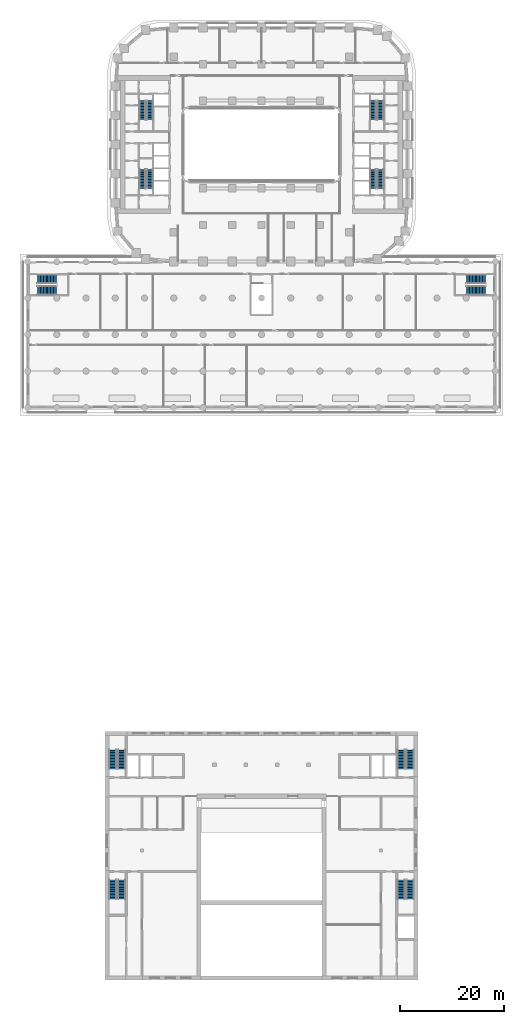
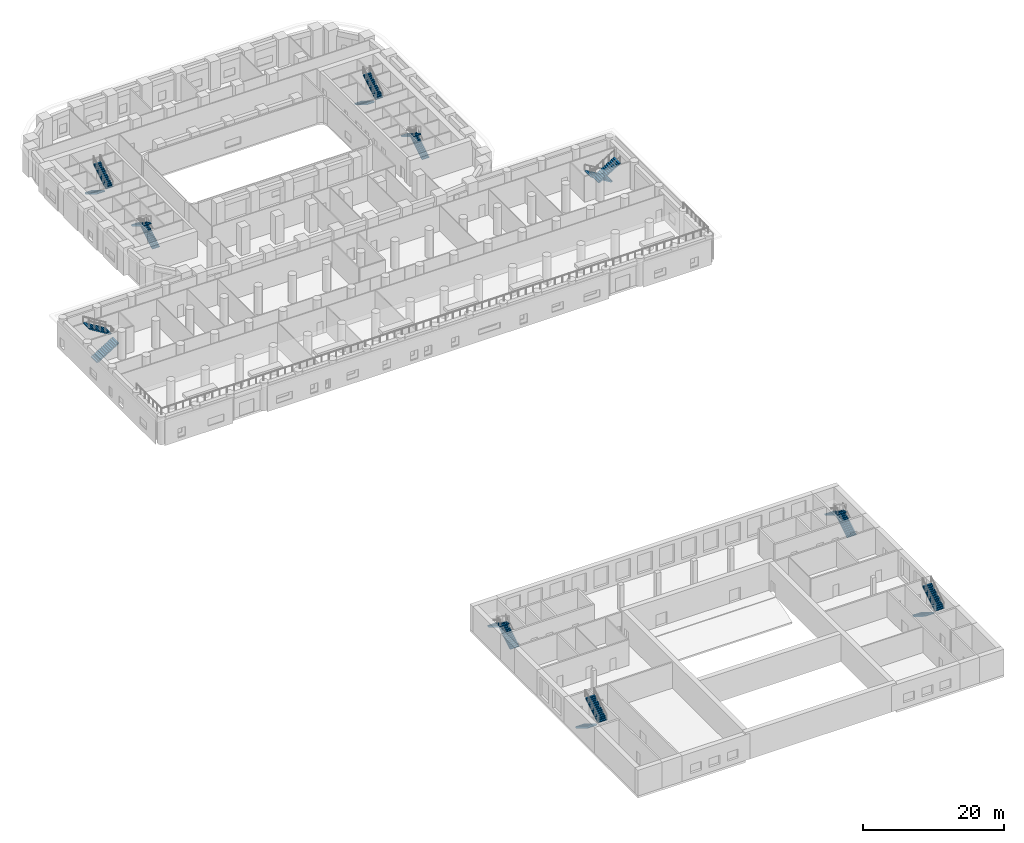
# One storey, part 15 of 24: 20 stair flights, 10 elements without a shape of their own.
"""IFC4 building model written with IfcOpenShell, lengths in metres."""

import ifcopenshell
import ifcopenshell.guid

model = None  # the IFC model being written
_history = None  # IfcOwnerHistory: only IFC2X3 demands one
_inside = {}  # id of a spatial element -> (the spatial element, [elements in it])
_under = {}  # id of a project, library or spatial element -> (it, [spatial elements below it])
_declared = {}  # id of a project -> (the project, [libraries it declares])
_typed = {}  # id of a type object -> (the type object, [elements of that type])
_made_of = {}  # id of a material, layer set ... -> (it, [elements and type objects made of it])


def new_model(schema):
    """Start an empty IFC model of exactly this schema.

    Asked for "IFC4X3", IfcOpenShell would pick the latest addendum, in which some entities
    have other attributes; the version numbers below select the first issue.
    IFC2X3 requires an IfcOwnerHistory on every rooted entity: one is made here for all.
    """
    global model, _history
    if schema == "IFC4X3":
        model = ifcopenshell.file(schema_version=(4, 3, 0, 0))
    else:
        model = ifcopenshell.file(schema=schema)
    _inside.clear()
    _under.clear()
    _declared.clear()
    _typed.clear()
    _made_of.clear()
    _history = None
    if model.schema == "IFC2X3":
        org = make("IfcOrganization", Name="unknown")
        user = make(
            "IfcPersonAndOrganization",
            ThePerson=make("IfcPerson", FamilyName="unknown"),
            TheOrganization=org,
        )
        app = make(
            "IfcApplication",
            ApplicationDeveloper=org,
            Version="unknown",
            ApplicationFullName="unknown",
            ApplicationIdentifier="unknown",
        )
        _history = make(
            "IfcOwnerHistory",
            OwningUser=user,
            OwningApplication=app,
            ChangeAction="ADDED",
            CreationDate=0,
        )
    return model


def make(cls, **values):
    """One entity of the class cls with the attributes given. An attribute that is None is left unset."""
    return model.create_entity(
        cls, **{name: value for name, value in values.items() if value is not None}
    )


def rooted(cls, **values):
    """An entity with a GlobalId (a new one), such as an element, a storey or a relation."""
    return make(cls, GlobalId=ifcopenshell.guid.new(), OwnerHistory=_history, **values)


def si_unit(unit_type, name, prefix=None):
    """IfcSIUnit, for example si_unit("LENGTHUNIT", "METRE", prefix="MILLI")."""
    return make("IfcSIUnit", UnitType=unit_type, Prefix=prefix, Name=name)


def assignment(units):
    """IfcUnitAssignment: the units of a project."""
    return None if units is None else make("IfcUnitAssignment", Units=units)


def point(xyz):
    """IfcCartesianPoint."""
    return None if xyz is None else make("IfcCartesianPoint", Coordinates=xyz)


def direction(xyz):
    """IfcDirection."""
    return None if xyz is None else make("IfcDirection", DirectionRatios=xyz)


def frame(location, z_axis=None, x_axis=None):
    """IfcAxis2Placement3D, a coordinate frame: its origin and axes. An axis left out is left unset."""
    return make(
        "IfcAxis2Placement3D",
        Location=point(location),
        Axis=direction(z_axis),
        RefDirection=direction(x_axis),
    )


def origin():
    """The frame at (0, 0, 0) with its axes left unset."""
    return frame((0.0, 0.0, 0.0))


def place(relative_to, where):
    """IfcLocalPlacement: puts the frame where relative to a parent placement (None: the world)."""
    return make(
        "IfcLocalPlacement", PlacementRelTo=relative_to, RelativePlacement=where
    )


def context(
    kind, dimensions, precision=None, world=None, true_north=None, identifier=None
):
    """IfcGeometricRepresentationContext, for example the 3D "Model" context."""
    return make(
        "IfcGeometricRepresentationContext",
        ContextIdentifier=identifier,
        ContextType=kind,
        CoordinateSpaceDimension=dimensions,
        Precision=precision,
        WorldCoordinateSystem=world,
        TrueNorth=true_north,
    )


def subcontext(parent, identifier, kind, view, scale=None):
    """IfcGeometricRepresentationSubContext, for example "Body" below "Model"."""
    return make(
        "IfcGeometricRepresentationSubContext",
        ContextIdentifier=identifier,
        ContextType=kind,
        ParentContext=parent,
        TargetScale=scale,
        TargetView=view,
    )


def project(units=None, contexts=None):
    """IfcProject with its units and contexts."""
    return rooted(
        "IfcProject",
        Name="project",
        RepresentationContexts=contexts,
        UnitsInContext=assignment(units),
    )


def spatial(cls, under=None, at=None, **own):
    """A site, building, storey or space (cls), placed at a placement, below another one or the project."""
    s = rooted(cls, ObjectPlacement=at, **own)
    if under is not None:
        _under.setdefault(under.id(), (under, []))[1].append(s)
    return s


def polyline(points):
    """IfcPolyline through the points."""
    return make("IfcPolyline", Points=[point(p) for p in points])


def outline(outer, holes=None, kind="AREA"):
    """IfcArbitraryClosedProfileDef: a profile drawn as a closed curve; with holes, ...WithVoids."""
    if holes is None:
        return make("IfcArbitraryClosedProfileDef", ProfileType=kind, OuterCurve=outer)
    return make(
        "IfcArbitraryProfileDefWithVoids",
        ProfileType=kind,
        OuterCurve=outer,
        InnerCurves=holes,
    )


def extrude(swept, where, along, depth):
    """IfcExtrudedAreaSolid: the profile swept, set in the frame where, extruded along a direction by depth."""
    return make(
        "IfcExtrudedAreaSolid",
        SweptArea=swept,
        Position=where,
        ExtrudedDirection=direction(along),
        Depth=depth,
    )


def shape(context_of_items, identifier, shape_type, items):
    """IfcShapeRepresentation: the items that make up one representation, for example the "Body"."""
    return make(
        "IfcShapeRepresentation",
        ContextOfItems=context_of_items,
        RepresentationIdentifier=identifier,
        RepresentationType=shape_type,
        Items=items,
    )


def material(Name=None, Category=None):
    """IfcMaterial."""
    return make("IfcMaterial", Name=Name, Category=Category)


def made_of(thing, what):
    """Note that an element or type object is made of a material, layer set ...; save() writes the relation."""
    if what is not None:
        _made_of.setdefault(what.id(), (what, []))[1].append(thing)
    return thing


def type_object(cls, material=None, **own):
    """A type object (cls), such as IfcWallType, which elements share."""
    return made_of(rooted(cls, **own), material)


def element(
    cls,
    number,
    at=None,
    inside=None,
    cuts=None,
    type_object=None,
    material=None,
    context=None,
    identifier="Body",
    shape_type=None,
    held_by="IfcProductDefinitionShape",
    body=None,
    shapes=None,
    **own,
):
    """One element of the class cls, such as IfcWall. Its Tag is "e" and its number.

    at: its placement. inside: the storey or other place that contains it. cuts: it is an
    opening in that element (IfcRelVoidsElement). A single representation is given by context,
    identifier, shape_type and body (its items); several are given by shapes. held_by: the class
    of the entity that holds the representations. save() writes the other relations.
    """
    e = rooted(cls, Tag="e%d" % number, ObjectPlacement=at, **own)
    if body is not None:
        shapes = [shape(context, identifier, shape_type, body)]
    if shapes is not None:
        e.Representation = make(held_by, Representations=shapes)
    if inside is not None:
        _inside.setdefault(inside.id(), (inside, []))[1].append(e)
    if cuts is not None:
        rooted(
            "IfcRelVoidsElement", RelatingBuildingElement=cuts, RelatedOpeningElement=e
        )
    if type_object is not None:
        _typed.setdefault(type_object.id(), (type_object, []))[1].append(e)
    return made_of(e, material)


def aggregate(whole, parts):
    """IfcRelAggregates: a whole, such as a stair, and the parts it consists of."""
    return rooted("IfcRelAggregates", RelatingObject=whole, RelatedObjects=parts)


def save(model, path):
    """Write the relations noted so far, then the file.

    IfcRelAggregates (storeys below a building ...), IfcRelContainedInSpatialStructure (elements
    in a storey), IfcRelDefinesByType, IfcRelAssociatesMaterial and IfcRelDeclares: one each for
    every whole, place, type object, material and project.
    """
    for whole, parts in _under.values():
        aggregate(whole, parts)
    for where, things in _inside.values():
        rooted(
            "IfcRelContainedInSpatialStructure",
            RelatedElements=things,
            RelatingStructure=where,
        )
    for kind, things in _typed.values():
        rooted("IfcRelDefinesByType", RelatedObjects=things, RelatingType=kind)
    for what, things in _made_of.values():
        rooted("IfcRelAssociatesMaterial", RelatedObjects=things, RelatingMaterial=what)
    for by, libraries in _declared.values():
        rooted("IfcRelDeclares", RelatingContext=by, RelatedDefinitions=libraries)
    model.write(path)


model = new_model("IFC4")

# Units and contexts
model_context = context("Model", 3, precision=1e-05, world=origin(), true_north=direction((0.0, 1.0)))
body_context = subcontext(model_context, "Body", "Model", "MODEL_VIEW")
ifc_project = project(units=[si_unit("LENGTHUNIT", "METRE"), si_unit("AREAUNIT", "SQUARE_METRE"), si_unit("VOLUMEUNIT", "CUBIC_METRE"), si_unit("PLANEANGLEUNIT", "RADIAN"), si_unit("MASSUNIT", "GRAM", prefix="KILO")], contexts=[model_context])

# Site, building, storey
site_placement = place(None, origin())
site = spatial("IfcSite", under=ifc_project, at=site_placement, CompositionType="ELEMENT")
building_placement = place(site_placement, origin())
building = spatial("IfcBuilding", under=site, at=building_placement, Name="Kiln Ring Residences", CompositionType="ELEMENT")
storey_placement = place(building_placement, frame((0.0, 0.0, 11.300048828125)))
storey = spatial("IfcBuildingStorey", under=building, at=storey_placement, Name="L02", CompositionType="ELEMENT", Elevation=11.300048828125)

# Stair, stair flights
ifc_material_1 = material(Name="Concrete C40/50", Category="concrete")
stair_type_1 = type_object("IfcStairType", Name="CORE-STAIR", PredefinedType="HALF_TURN_STAIR", material=ifc_material_1)
placement = place(storey_placement, origin())
stair_1 = element("IfcStair", 1, at=placement, inside=storey, type_object=stair_type_1, Name="L02 stair W-STN", PredefinedType="HALF_TURN_STAIR")
ifc_material_2 = material(Name="Concrete C40/50", Category="concrete")
stair_flight_type_1 = type_object("IfcStairFlightType", Name="CORE-STAIR-FLIGHT", PredefinedType="STRAIGHT", material=ifc_material_2)
stair_flight_1_placement = place(storey_placement, frame((-22.800048828125, 8.39990234375, 0.0), z_axis=(0.0, 0.0, 1.0), x_axis=(0.0, -1.0, 0.0)))
stair_flight_1 = element("IfcStairFlight", 2, at=stair_flight_1_placement, type_object=stair_flight_type_1, Name="W-STN flight 1", NumberOfRisers=14, NumberOfTreads=13, PredefinedType="STRAIGHT", RiserHeight=0.171428571, TreadLength=0.28, context=body_context, shape_type="SweptSolid", body=[
    extrude(outline(polyline([(0.0, 0.0), (0.0, 0.17138671875), (0.280029296875, 0.17138671875), (0.280029296875, 0.3427734375), (0.56005859375, 0.3427734375), (0.56005859375, 0.514404296875), (0.840087890625, 0.514404296875), (0.840087890625, 0.685791015625), (1.1201171875, 0.685791015625), (1.1201171875, 0.857177734375), (1.39990234375, 0.857177734375), (1.39990234375, 1.028564453125), (1.679931640625, 1.028564453125), (1.679931640625, 1.199951171875), (1.9599609375, 1.199951171875), (1.9599609375, 1.371337890625), (2.239990234375, 1.371337890625), (2.239990234375, 1.54296875), (2.52001953125, 1.54296875), (2.52001953125, 1.71435546875), (2.800048828125, 1.71435546875), (2.800048828125, 1.8857421875), (3.080078125, 1.8857421875), (3.080078125, 2.05712890625), (3.360107421875, 2.05712890625), (3.360107421875, 2.228515625), (3.639892578125, 2.228515625), (3.639892578125, 2.39990234375), (3.639892578125, 2.052734375), (0.287109375, 0.0), (0.0, 0.0)])), frame((0.0, 0.60009765625, 0.0), z_axis=(0.0, -1.0, 0.0), x_axis=(1.0, 0.0, 0.0)), (0.0, 0.0, 1.0), 1.199951171875),
])
stair_flight_2_placement = place(storey_placement, frame((-21.39990234375, 4.760009765625, 2.39990234375), z_axis=(0.0, 0.0, 1.0), x_axis=(0.0, 1.0, 0.0)))
stair_flight_2 = element("IfcStairFlight", 3, at=stair_flight_2_placement, type_object=stair_flight_type_1, Name="W-STN flight 2", NumberOfRisers=14, NumberOfTreads=13, PredefinedType="STRAIGHT", RiserHeight=0.171428571, TreadLength=0.28, context=body_context, shape_type="SweptSolid", body=[
    extrude(outline(polyline([(0.0, 0.0), (0.0, 0.17138671875), (0.280029296875, 0.17138671875), (0.280029296875, 0.3427734375), (0.56005859375, 0.3427734375), (0.56005859375, 0.514404296875), (0.840087890625, 0.514404296875), (0.840087890625, 0.685791015625), (1.1201171875, 0.685791015625), (1.1201171875, 0.857177734375), (1.39990234375, 0.857177734375), (1.39990234375, 1.028564453125), (1.679931640625, 1.028564453125), (1.679931640625, 1.199951171875), (1.9599609375, 1.199951171875), (1.9599609375, 1.371337890625), (2.239990234375, 1.371337890625), (2.239990234375, 1.54296875), (2.52001953125, 1.54296875), (2.52001953125, 1.71435546875), (2.800048828125, 1.71435546875), (2.800048828125, 1.8857421875), (3.080078125, 1.8857421875), (3.080078125, 2.05712890625), (3.360107421875, 2.05712890625), (3.360107421875, 2.228515625), (3.639892578125, 2.228515625), (3.639892578125, 2.39990234375), (3.639892578125, 2.052734375), (0.287109375, 0.0), (0.0, 0.0)])), frame((0.0, 0.60009765625, 0.0), z_axis=(0.0, -1.0, 0.0), x_axis=(1.0, 0.0, 0.0)), (0.0, 0.0, 1.0), 1.199951171875),
])
aggregate(stair_1, [stair_flight_1, stair_flight_2])

stair_2 = element("IfcStair", 4, at=placement, inside=storey, type_object=stair_type_1, Name="L02 stair W-STS", PredefinedType="HALF_TURN_STAIR")
stair_flight_3_placement = place(storey_placement, frame((-21.39990234375, -8.39990234375, 0.0), z_axis=(0.0, 0.0, 1.0), x_axis=(0.0, 1.0, 0.0)))
stair_flight_3 = element("IfcStairFlight", 5, at=stair_flight_3_placement, type_object=stair_flight_type_1, Name="W-STS flight 1", NumberOfRisers=14, NumberOfTreads=13, PredefinedType="STRAIGHT", RiserHeight=0.171428571, TreadLength=0.28, context=body_context, shape_type="SweptSolid", body=[
    extrude(outline(polyline([(0.0, 0.0), (0.0, 0.17138671875), (0.280029296875, 0.17138671875), (0.280029296875, 0.3427734375), (0.56005859375, 0.3427734375), (0.56005859375, 0.514404296875), (0.840087890625, 0.514404296875), (0.840087890625, 0.685791015625), (1.1201171875, 0.685791015625), (1.1201171875, 0.857177734375), (1.39990234375, 0.857177734375), (1.39990234375, 1.028564453125), (1.679931640625, 1.028564453125), (1.679931640625, 1.199951171875), (1.9599609375, 1.199951171875), (1.9599609375, 1.371337890625), (2.239990234375, 1.371337890625), (2.239990234375, 1.54296875), (2.52001953125, 1.54296875), (2.52001953125, 1.71435546875), (2.800048828125, 1.71435546875), (2.800048828125, 1.8857421875), (3.080078125, 1.8857421875), (3.080078125, 2.05712890625), (3.360107421875, 2.05712890625), (3.360107421875, 2.228515625), (3.639892578125, 2.228515625), (3.639892578125, 2.39990234375), (3.639892578125, 2.052734375), (0.287109375, 0.0), (0.0, 0.0)])), frame((0.0, 0.60009765625, 0.0), z_axis=(0.0, -1.0, 0.0), x_axis=(1.0, 0.0, 0.0)), (0.0, 0.0, 1.0), 1.199951171875),
])
stair_flight_4_placement = place(storey_placement, frame((-22.800048828125, -4.760009765625, 2.39990234375), z_axis=(0.0, 0.0, 1.0), x_axis=(0.0, -1.0, 0.0)))
stair_flight_4 = element("IfcStairFlight", 6, at=stair_flight_4_placement, type_object=stair_flight_type_1, Name="W-STS flight 2", NumberOfRisers=14, NumberOfTreads=13, PredefinedType="STRAIGHT", RiserHeight=0.171428571, TreadLength=0.28, context=body_context, shape_type="SweptSolid", body=[
    extrude(outline(polyline([(0.0, 0.0), (0.0, 0.17138671875), (0.280029296875, 0.17138671875), (0.280029296875, 0.3427734375), (0.56005859375, 0.3427734375), (0.56005859375, 0.514404296875), (0.840087890625, 0.514404296875), (0.840087890625, 0.685791015625), (1.1201171875, 0.685791015625), (1.1201171875, 0.857177734375), (1.39990234375, 0.857177734375), (1.39990234375, 1.028564453125), (1.679931640625, 1.028564453125), (1.679931640625, 1.199951171875), (1.9599609375, 1.199951171875), (1.9599609375, 1.371337890625), (2.239990234375, 1.371337890625), (2.239990234375, 1.54296875), (2.52001953125, 1.54296875), (2.52001953125, 1.71435546875), (2.800048828125, 1.71435546875), (2.800048828125, 1.8857421875), (3.080078125, 1.8857421875), (3.080078125, 2.05712890625), (3.360107421875, 2.05712890625), (3.360107421875, 2.228515625), (3.639892578125, 2.228515625), (3.639892578125, 2.39990234375), (3.639892578125, 2.052734375), (0.287109375, 0.0), (0.0, 0.0)])), frame((0.0, 0.60009765625, 0.0), z_axis=(0.0, -1.0, 0.0), x_axis=(1.0, 0.0, 0.0)), (0.0, 0.0, 1.0), 1.199951171875),
])
aggregate(stair_2, [stair_flight_3, stair_flight_4])

stair_3 = element("IfcStair", 7, at=placement, inside=storey, type_object=stair_type_1, Name="L02 stair E-STN", PredefinedType="HALF_TURN_STAIR")
stair_flight_5_placement = place(storey_placement, frame((21.39990234375, 8.39990234375, 0.0), z_axis=(0.0, 0.0, 1.0), x_axis=(0.0, -1.0, 0.0)))
stair_flight_5 = element("IfcStairFlight", 8, at=stair_flight_5_placement, type_object=stair_flight_type_1, Name="E-STN flight 1", NumberOfRisers=14, NumberOfTreads=13, PredefinedType="STRAIGHT", RiserHeight=0.171428571, TreadLength=0.28, context=body_context, shape_type="SweptSolid", body=[
    extrude(outline(polyline([(0.0, 0.0), (0.0, 0.17138671875), (0.280029296875, 0.17138671875), (0.280029296875, 0.3427734375), (0.56005859375, 0.3427734375), (0.56005859375, 0.514404296875), (0.840087890625, 0.514404296875), (0.840087890625, 0.685791015625), (1.1201171875, 0.685791015625), (1.1201171875, 0.857177734375), (1.39990234375, 0.857177734375), (1.39990234375, 1.028564453125), (1.679931640625, 1.028564453125), (1.679931640625, 1.199951171875), (1.9599609375, 1.199951171875), (1.9599609375, 1.371337890625), (2.239990234375, 1.371337890625), (2.239990234375, 1.54296875), (2.52001953125, 1.54296875), (2.52001953125, 1.71435546875), (2.800048828125, 1.71435546875), (2.800048828125, 1.8857421875), (3.080078125, 1.8857421875), (3.080078125, 2.05712890625), (3.360107421875, 2.05712890625), (3.360107421875, 2.228515625), (3.639892578125, 2.228515625), (3.639892578125, 2.39990234375), (3.639892578125, 2.052734375), (0.287109375, 0.0), (0.0, 0.0)])), frame((0.0, 0.60009765625, 0.0), z_axis=(0.0, -1.0, 0.0), x_axis=(1.0, 0.0, 0.0)), (0.0, 0.0, 1.0), 1.199951171875),
])
stair_flight_6_placement = place(storey_placement, frame((22.800048828125, 4.760009765625, 2.39990234375), z_axis=(0.0, 0.0, 1.0), x_axis=(0.0, 1.0, 0.0)))
stair_flight_6 = element("IfcStairFlight", 9, at=stair_flight_6_placement, type_object=stair_flight_type_1, Name="E-STN flight 2", NumberOfRisers=14, NumberOfTreads=13, PredefinedType="STRAIGHT", RiserHeight=0.171428571, TreadLength=0.28, context=body_context, shape_type="SweptSolid", body=[
    extrude(outline(polyline([(0.0, 0.0), (0.0, 0.17138671875), (0.280029296875, 0.17138671875), (0.280029296875, 0.3427734375), (0.56005859375, 0.3427734375), (0.56005859375, 0.514404296875), (0.840087890625, 0.514404296875), (0.840087890625, 0.685791015625), (1.1201171875, 0.685791015625), (1.1201171875, 0.857177734375), (1.39990234375, 0.857177734375), (1.39990234375, 1.028564453125), (1.679931640625, 1.028564453125), (1.679931640625, 1.199951171875), (1.9599609375, 1.199951171875), (1.9599609375, 1.371337890625), (2.239990234375, 1.371337890625), (2.239990234375, 1.54296875), (2.52001953125, 1.54296875), (2.52001953125, 1.71435546875), (2.800048828125, 1.71435546875), (2.800048828125, 1.8857421875), (3.080078125, 1.8857421875), (3.080078125, 2.05712890625), (3.360107421875, 2.05712890625), (3.360107421875, 2.228515625), (3.639892578125, 2.228515625), (3.639892578125, 2.39990234375), (3.639892578125, 2.052734375), (0.287109375, 0.0), (0.0, 0.0)])), frame((0.0, 0.60009765625, 0.0), z_axis=(0.0, -1.0, 0.0), x_axis=(1.0, 0.0, 0.0)), (0.0, 0.0, 1.0), 1.199951171875),
])
aggregate(stair_3, [stair_flight_5, stair_flight_6])

stair_4 = element("IfcStair", 10, at=placement, inside=storey, type_object=stair_type_1, Name="L02 stair E-STS", PredefinedType="HALF_TURN_STAIR")
stair_flight_7_placement = place(storey_placement, frame((22.800048828125, -8.39990234375, 0.0), z_axis=(0.0, 0.0, 1.0), x_axis=(0.0, 1.0, 0.0)))
stair_flight_7 = element("IfcStairFlight", 11, at=stair_flight_7_placement, type_object=stair_flight_type_1, Name="E-STS flight 1", NumberOfRisers=14, NumberOfTreads=13, PredefinedType="STRAIGHT", RiserHeight=0.171428571, TreadLength=0.28, context=body_context, shape_type="SweptSolid", body=[
    extrude(outline(polyline([(0.0, 0.0), (0.0, 0.17138671875), (0.280029296875, 0.17138671875), (0.280029296875, 0.3427734375), (0.56005859375, 0.3427734375), (0.56005859375, 0.514404296875), (0.840087890625, 0.514404296875), (0.840087890625, 0.685791015625), (1.1201171875, 0.685791015625), (1.1201171875, 0.857177734375), (1.39990234375, 0.857177734375), (1.39990234375, 1.028564453125), (1.679931640625, 1.028564453125), (1.679931640625, 1.199951171875), (1.9599609375, 1.199951171875), (1.9599609375, 1.371337890625), (2.239990234375, 1.371337890625), (2.239990234375, 1.54296875), (2.52001953125, 1.54296875), (2.52001953125, 1.71435546875), (2.800048828125, 1.71435546875), (2.800048828125, 1.8857421875), (3.080078125, 1.8857421875), (3.080078125, 2.05712890625), (3.360107421875, 2.05712890625), (3.360107421875, 2.228515625), (3.639892578125, 2.228515625), (3.639892578125, 2.39990234375), (3.639892578125, 2.052734375), (0.287109375, 0.0), (0.0, 0.0)])), frame((0.0, 0.60009765625, 0.0), z_axis=(0.0, -1.0, 0.0), x_axis=(1.0, 0.0, 0.0)), (0.0, 0.0, 1.0), 1.199951171875),
])
stair_flight_8_placement = place(storey_placement, frame((21.39990234375, -4.760009765625, 2.39990234375), z_axis=(0.0, 0.0, 1.0), x_axis=(0.0, -1.0, 0.0)))
stair_flight_8 = element("IfcStairFlight", 12, at=stair_flight_8_placement, type_object=stair_flight_type_1, Name="E-STS flight 2", NumberOfRisers=14, NumberOfTreads=13, PredefinedType="STRAIGHT", RiserHeight=0.171428571, TreadLength=0.28, context=body_context, shape_type="SweptSolid", body=[
    extrude(outline(polyline([(0.0, 0.0), (0.0, 0.17138671875), (0.280029296875, 0.17138671875), (0.280029296875, 0.3427734375), (0.56005859375, 0.3427734375), (0.56005859375, 0.514404296875), (0.840087890625, 0.514404296875), (0.840087890625, 0.685791015625), (1.1201171875, 0.685791015625), (1.1201171875, 0.857177734375), (1.39990234375, 0.857177734375), (1.39990234375, 1.028564453125), (1.679931640625, 1.028564453125), (1.679931640625, 1.199951171875), (1.9599609375, 1.199951171875), (1.9599609375, 1.371337890625), (2.239990234375, 1.371337890625), (2.239990234375, 1.54296875), (2.52001953125, 1.54296875), (2.52001953125, 1.71435546875), (2.800048828125, 1.71435546875), (2.800048828125, 1.8857421875), (3.080078125, 1.8857421875), (3.080078125, 2.05712890625), (3.360107421875, 2.05712890625), (3.360107421875, 2.228515625), (3.639892578125, 2.228515625), (3.639892578125, 2.39990234375), (3.639892578125, 2.052734375), (0.287109375, 0.0), (0.0, 0.0)])), frame((0.0, 0.60009765625, 0.0), z_axis=(0.0, -1.0, 0.0), x_axis=(1.0, 0.0, 0.0)), (0.0, 0.0, 1.0), 1.199951171875),
])
aggregate(stair_4, [stair_flight_7, stair_flight_8])

ifc_material_3 = material(Name="Concrete C40/50", Category="concrete")
stair_type_2 = type_object("IfcStairType", Name="Hall reinforced concrete stair", PredefinedType="HALF_TURN_STAIR", material=ifc_material_3)
stair_5 = element("IfcStair", 13, at=placement, inside=storey, type_object=stair_type_2, Name="L02 Hall stair ST1", PredefinedType="HALF_TURN_STAIR")
ifc_material_4 = material(Name="Concrete C40/50", Category="concrete")
stair_flight_type_2 = type_object("IfcStairFlightType", Name="Hall reinforced concrete stair flight", PredefinedType="STRAIGHT", material=ifc_material_4)
stair_flight_9_placement = place(storey_placement, frame((-26.800048828125, -119.550048828125, 0.0), z_axis=(0.0, 0.0, 1.0), x_axis=(0.0, 1.0, 0.0)))
stair_flight_9 = element("IfcStairFlight", 14, at=stair_flight_9_placement, type_object=stair_flight_type_2, Name="HALL.ST1 flight 1", NumberOfRisers=14, NumberOfTreads=13, PredefinedType="STRAIGHT", RiserHeight=0.171428571, TreadLength=0.28, context=body_context, shape_type="SweptSolid", body=[
    extrude(outline(polyline([(0.0, 0.0), (0.0, 0.17138671875), (0.280029296875, 0.17138671875), (0.280029296875, 0.3427734375), (0.56005859375, 0.3427734375), (0.56005859375, 0.514404296875), (0.840087890625, 0.514404296875), (0.840087890625, 0.685791015625), (1.1201171875, 0.685791015625), (1.1201171875, 0.857177734375), (1.39990234375, 0.857177734375), (1.39990234375, 1.028564453125), (1.679931640625, 1.028564453125), (1.679931640625, 1.199951171875), (1.9599609375, 1.199951171875), (1.9599609375, 1.371337890625), (2.239990234375, 1.371337890625), (2.239990234375, 1.54296875), (2.52001953125, 1.54296875), (2.52001953125, 1.71435546875), (2.800048828125, 1.71435546875), (2.800048828125, 1.8857421875), (3.080078125, 1.8857421875), (3.080078125, 2.05712890625), (3.360107421875, 2.05712890625), (3.360107421875, 2.228515625), (3.639892578125, 2.228515625), (3.639892578125, 2.39990234375), (3.639892578125, 2.052734375), (0.287109375, 0.0), (0.0, 0.0)])), frame((0.0, 0.75, 0.0), z_axis=(0.0, -1.0, 0.0), x_axis=(1.0, 0.0, 0.0)), (0.0, 0.0, 1.0), 1.5),
])
stair_flight_10_placement = place(storey_placement, frame((-28.449951171875, -115.909912109375, 2.39990234375), z_axis=(0.0, 0.0, 1.0), x_axis=(0.0, -1.0, 0.0)))
stair_flight_10 = element("IfcStairFlight", 15, at=stair_flight_10_placement, type_object=stair_flight_type_2, Name="HALL.ST1 flight 2", NumberOfRisers=14, NumberOfTreads=13, PredefinedType="STRAIGHT", RiserHeight=0.171428571, TreadLength=0.28, context=body_context, shape_type="SweptSolid", body=[
    extrude(outline(polyline([(0.0, 0.0), (0.0, 0.17138671875), (0.280029296875, 0.17138671875), (0.280029296875, 0.3427734375), (0.56005859375, 0.3427734375), (0.56005859375, 0.514404296875), (0.840087890625, 0.514404296875), (0.840087890625, 0.685791015625), (1.1201171875, 0.685791015625), (1.1201171875, 0.857177734375), (1.39990234375, 0.857177734375), (1.39990234375, 1.028564453125), (1.679931640625, 1.028564453125), (1.679931640625, 1.199951171875), (1.9599609375, 1.199951171875), (1.9599609375, 1.371337890625), (2.239990234375, 1.371337890625), (2.239990234375, 1.54296875), (2.52001953125, 1.54296875), (2.52001953125, 1.71435546875), (2.800048828125, 1.71435546875), (2.800048828125, 1.8857421875), (3.080078125, 1.8857421875), (3.080078125, 2.05712890625), (3.360107421875, 2.05712890625), (3.360107421875, 2.228515625), (3.639892578125, 2.228515625), (3.639892578125, 2.39990234375), (3.639892578125, 2.052734375), (0.287109375, 0.0), (0.0, 0.0)])), frame((0.0, 0.75, 0.0), z_axis=(0.0, -1.0, 0.0), x_axis=(1.0, 0.0, 0.0)), (0.0, 0.0, 1.0), 1.5),
])
aggregate(stair_5, [stair_flight_9, stair_flight_10])

stair_6 = element("IfcStair", 16, at=placement, inside=storey, type_object=stair_type_2, Name="L02 Hall stair ST2", PredefinedType="HALF_TURN_STAIR")
stair_flight_11_placement = place(storey_placement, frame((28.449951171875, -119.550048828125, 0.0), z_axis=(0.0, 0.0, 1.0), x_axis=(0.0, 1.0, 0.0)))
stair_flight_11 = element("IfcStairFlight", 17, at=stair_flight_11_placement, type_object=stair_flight_type_2, Name="HALL.ST2 flight 1", NumberOfRisers=14, NumberOfTreads=13, PredefinedType="STRAIGHT", RiserHeight=0.171428571, TreadLength=0.28, context=body_context, shape_type="SweptSolid", body=[
    extrude(outline(polyline([(0.0, 0.0), (0.0, 0.17138671875), (0.280029296875, 0.17138671875), (0.280029296875, 0.3427734375), (0.56005859375, 0.3427734375), (0.56005859375, 0.514404296875), (0.840087890625, 0.514404296875), (0.840087890625, 0.685791015625), (1.1201171875, 0.685791015625), (1.1201171875, 0.857177734375), (1.39990234375, 0.857177734375), (1.39990234375, 1.028564453125), (1.679931640625, 1.028564453125), (1.679931640625, 1.199951171875), (1.9599609375, 1.199951171875), (1.9599609375, 1.371337890625), (2.239990234375, 1.371337890625), (2.239990234375, 1.54296875), (2.52001953125, 1.54296875), (2.52001953125, 1.71435546875), (2.800048828125, 1.71435546875), (2.800048828125, 1.8857421875), (3.080078125, 1.8857421875), (3.080078125, 2.05712890625), (3.360107421875, 2.05712890625), (3.360107421875, 2.228515625), (3.639892578125, 2.228515625), (3.639892578125, 2.39990234375), (3.639892578125, 2.052734375), (0.287109375, 0.0), (0.0, 0.0)])), frame((0.0, 0.75, 0.0), z_axis=(0.0, -1.0, 0.0), x_axis=(1.0, 0.0, 0.0)), (0.0, 0.0, 1.0), 1.5),
])
stair_flight_12_placement = place(storey_placement, frame((26.800048828125, -115.909912109375, 2.39990234375), z_axis=(0.0, 0.0, 1.0), x_axis=(0.0, -1.0, 0.0)))
stair_flight_12 = element("IfcStairFlight", 18, at=stair_flight_12_placement, type_object=stair_flight_type_2, Name="HALL.ST2 flight 2", NumberOfRisers=14, NumberOfTreads=13, PredefinedType="STRAIGHT", RiserHeight=0.171428571, TreadLength=0.28, context=body_context, shape_type="SweptSolid", body=[
    extrude(outline(polyline([(0.0, 0.0), (0.0, 0.17138671875), (0.280029296875, 0.17138671875), (0.280029296875, 0.3427734375), (0.56005859375, 0.3427734375), (0.56005859375, 0.514404296875), (0.840087890625, 0.514404296875), (0.840087890625, 0.685791015625), (1.1201171875, 0.685791015625), (1.1201171875, 0.857177734375), (1.39990234375, 0.857177734375), (1.39990234375, 1.028564453125), (1.679931640625, 1.028564453125), (1.679931640625, 1.199951171875), (1.9599609375, 1.199951171875), (1.9599609375, 1.371337890625), (2.239990234375, 1.371337890625), (2.239990234375, 1.54296875), (2.52001953125, 1.54296875), (2.52001953125, 1.71435546875), (2.800048828125, 1.71435546875), (2.800048828125, 1.8857421875), (3.080078125, 1.8857421875), (3.080078125, 2.05712890625), (3.360107421875, 2.05712890625), (3.360107421875, 2.228515625), (3.639892578125, 2.228515625), (3.639892578125, 2.39990234375), (3.639892578125, 2.052734375), (0.287109375, 0.0), (0.0, 0.0)])), frame((0.0, 0.75, 0.0), z_axis=(0.0, -1.0, 0.0), x_axis=(1.0, 0.0, 0.0)), (0.0, 0.0, 1.0), 1.5),
])
aggregate(stair_6, [stair_flight_11, stair_flight_12])

stair_7 = element("IfcStair", 19, at=placement, inside=storey, type_object=stair_type_2, Name="L02 Hall stair ST3", PredefinedType="HALF_TURN_STAIR")
stair_flight_13_placement = place(storey_placement, frame((-28.449951171875, -140.85009765625, 0.0), z_axis=(0.0, 0.0, 1.0), x_axis=(0.0, -1.0, 0.0)))
stair_flight_13 = element("IfcStairFlight", 20, at=stair_flight_13_placement, type_object=stair_flight_type_2, Name="HALL.ST3 flight 1", NumberOfRisers=14, NumberOfTreads=13, PredefinedType="STRAIGHT", RiserHeight=0.171428571, TreadLength=0.28, context=body_context, shape_type="SweptSolid", body=[
    extrude(outline(polyline([(0.0, 0.0), (0.0, 0.17138671875), (0.280029296875, 0.17138671875), (0.280029296875, 0.3427734375), (0.56005859375, 0.3427734375), (0.56005859375, 0.514404296875), (0.840087890625, 0.514404296875), (0.840087890625, 0.685791015625), (1.1201171875, 0.685791015625), (1.1201171875, 0.857177734375), (1.39990234375, 0.857177734375), (1.39990234375, 1.028564453125), (1.679931640625, 1.028564453125), (1.679931640625, 1.199951171875), (1.9599609375, 1.199951171875), (1.9599609375, 1.371337890625), (2.239990234375, 1.371337890625), (2.239990234375, 1.54296875), (2.52001953125, 1.54296875), (2.52001953125, 1.71435546875), (2.800048828125, 1.71435546875), (2.800048828125, 1.8857421875), (3.080078125, 1.8857421875), (3.080078125, 2.05712890625), (3.360107421875, 2.05712890625), (3.360107421875, 2.228515625), (3.639892578125, 2.228515625), (3.639892578125, 2.39990234375), (3.639892578125, 2.052734375), (0.287109375, 0.0), (0.0, 0.0)])), frame((0.0, 0.75, 0.0), z_axis=(0.0, -1.0, 0.0), x_axis=(1.0, 0.0, 0.0)), (0.0, 0.0, 1.0), 1.5),
])
stair_flight_14_placement = place(storey_placement, frame((-26.800048828125, -144.489990234375, 2.39990234375), z_axis=(0.0, 0.0, 1.0), x_axis=(0.0, 1.0, 0.0)))
stair_flight_14 = element("IfcStairFlight", 21, at=stair_flight_14_placement, type_object=stair_flight_type_2, Name="HALL.ST3 flight 2", NumberOfRisers=14, NumberOfTreads=13, PredefinedType="STRAIGHT", RiserHeight=0.171428571, TreadLength=0.28, context=body_context, shape_type="SweptSolid", body=[
    extrude(outline(polyline([(0.0, 0.0), (0.0, 0.17138671875), (0.280029296875, 0.17138671875), (0.280029296875, 0.3427734375), (0.56005859375, 0.3427734375), (0.56005859375, 0.514404296875), (0.840087890625, 0.514404296875), (0.840087890625, 0.685791015625), (1.1201171875, 0.685791015625), (1.1201171875, 0.857177734375), (1.39990234375, 0.857177734375), (1.39990234375, 1.028564453125), (1.679931640625, 1.028564453125), (1.679931640625, 1.199951171875), (1.9599609375, 1.199951171875), (1.9599609375, 1.371337890625), (2.239990234375, 1.371337890625), (2.239990234375, 1.54296875), (2.52001953125, 1.54296875), (2.52001953125, 1.71435546875), (2.800048828125, 1.71435546875), (2.800048828125, 1.8857421875), (3.080078125, 1.8857421875), (3.080078125, 2.05712890625), (3.360107421875, 2.05712890625), (3.360107421875, 2.228515625), (3.639892578125, 2.228515625), (3.639892578125, 2.39990234375), (3.639892578125, 2.052734375), (0.287109375, 0.0), (0.0, 0.0)])), frame((0.0, 0.75, 0.0), z_axis=(0.0, -1.0, 0.0), x_axis=(1.0, 0.0, 0.0)), (0.0, 0.0, 1.0), 1.5),
])
aggregate(stair_7, [stair_flight_13, stair_flight_14])

stair_8 = element("IfcStair", 22, at=placement, inside=storey, type_object=stair_type_2, Name="L02 Hall stair ST4", PredefinedType="HALF_TURN_STAIR")
stair_flight_15_placement = place(storey_placement, frame((26.800048828125, -140.85009765625, 0.0), z_axis=(0.0, 0.0, 1.0), x_axis=(0.0, -1.0, 0.0)))
stair_flight_15 = element("IfcStairFlight", 23, at=stair_flight_15_placement, type_object=stair_flight_type_2, Name="HALL.ST4 flight 1", NumberOfRisers=14, NumberOfTreads=13, PredefinedType="STRAIGHT", RiserHeight=0.171428571, TreadLength=0.28, context=body_context, shape_type="SweptSolid", body=[
    extrude(outline(polyline([(0.0, 0.0), (0.0, 0.17138671875), (0.280029296875, 0.17138671875), (0.280029296875, 0.3427734375), (0.56005859375, 0.3427734375), (0.56005859375, 0.514404296875), (0.840087890625, 0.514404296875), (0.840087890625, 0.685791015625), (1.1201171875, 0.685791015625), (1.1201171875, 0.857177734375), (1.39990234375, 0.857177734375), (1.39990234375, 1.028564453125), (1.679931640625, 1.028564453125), (1.679931640625, 1.199951171875), (1.9599609375, 1.199951171875), (1.9599609375, 1.371337890625), (2.239990234375, 1.371337890625), (2.239990234375, 1.54296875), (2.52001953125, 1.54296875), (2.52001953125, 1.71435546875), (2.800048828125, 1.71435546875), (2.800048828125, 1.8857421875), (3.080078125, 1.8857421875), (3.080078125, 2.05712890625), (3.360107421875, 2.05712890625), (3.360107421875, 2.228515625), (3.639892578125, 2.228515625), (3.639892578125, 2.39990234375), (3.639892578125, 2.052734375), (0.287109375, 0.0), (0.0, 0.0)])), frame((0.0, 0.75, 0.0), z_axis=(0.0, -1.0, 0.0), x_axis=(1.0, 0.0, 0.0)), (0.0, 0.0, 1.0), 1.5),
])
stair_flight_16_placement = place(storey_placement, frame((28.449951171875, -144.489990234375, 2.39990234375), z_axis=(0.0, 0.0, 1.0), x_axis=(0.0, 1.0, 0.0)))
stair_flight_16 = element("IfcStairFlight", 24, at=stair_flight_16_placement, type_object=stair_flight_type_2, Name="HALL.ST4 flight 2", NumberOfRisers=14, NumberOfTreads=13, PredefinedType="STRAIGHT", RiserHeight=0.171428571, TreadLength=0.28, context=body_context, shape_type="SweptSolid", body=[
    extrude(outline(polyline([(0.0, 0.0), (0.0, 0.17138671875), (0.280029296875, 0.17138671875), (0.280029296875, 0.3427734375), (0.56005859375, 0.3427734375), (0.56005859375, 0.514404296875), (0.840087890625, 0.514404296875), (0.840087890625, 0.685791015625), (1.1201171875, 0.685791015625), (1.1201171875, 0.857177734375), (1.39990234375, 0.857177734375), (1.39990234375, 1.028564453125), (1.679931640625, 1.028564453125), (1.679931640625, 1.199951171875), (1.9599609375, 1.199951171875), (1.9599609375, 1.371337890625), (2.239990234375, 1.371337890625), (2.239990234375, 1.54296875), (2.52001953125, 1.54296875), (2.52001953125, 1.71435546875), (2.800048828125, 1.71435546875), (2.800048828125, 1.8857421875), (3.080078125, 1.8857421875), (3.080078125, 2.05712890625), (3.360107421875, 2.05712890625), (3.360107421875, 2.228515625), (3.639892578125, 2.228515625), (3.639892578125, 2.39990234375), (3.639892578125, 2.052734375), (0.287109375, 0.0), (0.0, 0.0)])), frame((0.0, 0.75, 0.0), z_axis=(0.0, -1.0, 0.0), x_axis=(1.0, 0.0, 0.0)), (0.0, 0.0, 1.0), 1.5),
])
aggregate(stair_8, [stair_flight_15, stair_flight_16])

ifc_material_5 = material(Name="Concrete C40/50", Category="concrete")
stair_type_3 = type_object("IfcStairType", Name="PODIUM-STAIR", PredefinedType="HALF_TURN_STAIR", material=ifc_material_5)
stair_9 = element("IfcStair", 25, at=placement, inside=storey, type_object=stair_type_3, Name="L02 exit stair PS-W", PredefinedType="HALF_TURN_STAIR")
ifc_material_6 = material(Name="Concrete C40/50", Category="concrete")
stair_flight_type_3 = type_object("IfcStairFlightType", Name="PODIUM-STAIR-FLIGHT", PredefinedType="STRAIGHT", material=ifc_material_6)
stair_flight_17_placement = place(storey_placement, frame((-42.89990234375, -27.949951171875, 0.0), z_axis=(0.0, 0.0, 1.0), x_axis=(1.0, 0.0, 0.0)))
stair_flight_17 = element("IfcStairFlight", 26, at=stair_flight_17_placement, type_object=stair_flight_type_3, Name="PS-W flight 1", NumberOfRisers=14, NumberOfTreads=13, PredefinedType="STRAIGHT", RiserHeight=0.171428571, TreadLength=0.28, context=body_context, shape_type="SweptSolid", body=[
    extrude(outline(polyline([(0.0, 0.0), (0.0, 0.17138671875), (0.280029296875, 0.17138671875), (0.280029296875, 0.3427734375), (0.56005859375, 0.3427734375), (0.56005859375, 0.514404296875), (0.840087890625, 0.514404296875), (0.840087890625, 0.685791015625), (1.1201171875, 0.685791015625), (1.1201171875, 0.857177734375), (1.39990234375, 0.857177734375), (1.39990234375, 1.028564453125), (1.679931640625, 1.028564453125), (1.679931640625, 1.199951171875), (1.9599609375, 1.199951171875), (1.9599609375, 1.371337890625), (2.239990234375, 1.371337890625), (2.239990234375, 1.54296875), (2.52001953125, 1.54296875), (2.52001953125, 1.71435546875), (2.800048828125, 1.71435546875), (2.800048828125, 1.8857421875), (3.080078125, 1.8857421875), (3.080078125, 2.05712890625), (3.360107421875, 2.05712890625), (3.360107421875, 2.228515625), (3.639892578125, 2.228515625), (3.639892578125, 2.39990234375), (3.639892578125, 2.052734375), (0.287109375, 0.0), (0.0, 0.0)])), frame((0.0, 0.85009765625, 0.0), z_axis=(0.0, -1.0, 0.0), x_axis=(1.0, 0.0, 0.0)), (0.0, 0.0, 1.0), 1.699951171875),
])
stair_flight_18_placement = place(storey_placement, frame((-39.260009765625, -25.75, 2.39990234375), z_axis=(0.0, 0.0, 1.0), x_axis=(-1.0, 0.0, 0.0)))
stair_flight_18 = element("IfcStairFlight", 27, at=stair_flight_18_placement, type_object=stair_flight_type_3, Name="PS-W flight 2", NumberOfRisers=14, NumberOfTreads=13, PredefinedType="STRAIGHT", RiserHeight=0.171428571, TreadLength=0.28, context=body_context, shape_type="SweptSolid", body=[
    extrude(outline(polyline([(0.0, 0.0), (0.0, 0.17138671875), (0.280029296875, 0.17138671875), (0.280029296875, 0.3427734375), (0.56005859375, 0.3427734375), (0.56005859375, 0.514404296875), (0.840087890625, 0.514404296875), (0.840087890625, 0.685791015625), (1.1201171875, 0.685791015625), (1.1201171875, 0.857177734375), (1.39990234375, 0.857177734375), (1.39990234375, 1.028564453125), (1.679931640625, 1.028564453125), (1.679931640625, 1.199951171875), (1.9599609375, 1.199951171875), (1.9599609375, 1.371337890625), (2.239990234375, 1.371337890625), (2.239990234375, 1.54296875), (2.52001953125, 1.54296875), (2.52001953125, 1.71435546875), (2.800048828125, 1.71435546875), (2.800048828125, 1.8857421875), (3.080078125, 1.8857421875), (3.080078125, 2.05712890625), (3.360107421875, 2.05712890625), (3.360107421875, 2.228515625), (3.639892578125, 2.228515625), (3.639892578125, 2.39990234375), (3.639892578125, 2.052734375), (0.287109375, 0.0), (0.0, 0.0)])), frame((0.0, 0.85009765625, 0.0), z_axis=(0.0, -1.0, 0.0), x_axis=(1.0, 0.0, 0.0)), (0.0, 0.0, 1.0), 1.699951171875),
])
aggregate(stair_9, [stair_flight_17, stair_flight_18])

stair_10 = element("IfcStair", 28, at=placement, inside=storey, type_object=stair_type_3, Name="L02 exit stair PS-E", PredefinedType="HALF_TURN_STAIR")
stair_flight_19_placement = place(storey_placement, frame((42.89990234375, -25.75, 0.0), z_axis=(0.0, 0.0, 1.0), x_axis=(-1.0, 0.0, 0.0)))
stair_flight_19 = element("IfcStairFlight", 29, at=stair_flight_19_placement, type_object=stair_flight_type_3, Name="PS-E flight 1", NumberOfRisers=14, NumberOfTreads=13, PredefinedType="STRAIGHT", RiserHeight=0.171428571, TreadLength=0.28, context=body_context, shape_type="SweptSolid", body=[
    extrude(outline(polyline([(0.0, 0.0), (0.0, 0.17138671875), (0.280029296875, 0.17138671875), (0.280029296875, 0.3427734375), (0.56005859375, 0.3427734375), (0.56005859375, 0.514404296875), (0.840087890625, 0.514404296875), (0.840087890625, 0.685791015625), (1.1201171875, 0.685791015625), (1.1201171875, 0.857177734375), (1.39990234375, 0.857177734375), (1.39990234375, 1.028564453125), (1.679931640625, 1.028564453125), (1.679931640625, 1.199951171875), (1.9599609375, 1.199951171875), (1.9599609375, 1.371337890625), (2.239990234375, 1.371337890625), (2.239990234375, 1.54296875), (2.52001953125, 1.54296875), (2.52001953125, 1.71435546875), (2.800048828125, 1.71435546875), (2.800048828125, 1.8857421875), (3.080078125, 1.8857421875), (3.080078125, 2.05712890625), (3.360107421875, 2.05712890625), (3.360107421875, 2.228515625), (3.639892578125, 2.228515625), (3.639892578125, 2.39990234375), (3.639892578125, 2.052734375), (0.287109375, 0.0), (0.0, 0.0)])), frame((0.0, 0.85009765625, 0.0), z_axis=(0.0, -1.0, 0.0), x_axis=(1.0, 0.0, 0.0)), (0.0, 0.0, 1.0), 1.699951171875),
])
stair_flight_20_placement = place(storey_placement, frame((39.260009765625, -27.949951171875, 2.39990234375), z_axis=(0.0, 0.0, 1.0), x_axis=(1.0, 0.0, 0.0)))
stair_flight_20 = element("IfcStairFlight", 30, at=stair_flight_20_placement, type_object=stair_flight_type_3, Name="PS-E flight 2", NumberOfRisers=14, NumberOfTreads=13, PredefinedType="STRAIGHT", RiserHeight=0.171428571, TreadLength=0.28, context=body_context, shape_type="SweptSolid", body=[
    extrude(outline(polyline([(0.0, 0.0), (0.0, 0.17138671875), (0.280029296875, 0.17138671875), (0.280029296875, 0.3427734375), (0.56005859375, 0.3427734375), (0.56005859375, 0.514404296875), (0.840087890625, 0.514404296875), (0.840087890625, 0.685791015625), (1.1201171875, 0.685791015625), (1.1201171875, 0.857177734375), (1.39990234375, 0.857177734375), (1.39990234375, 1.028564453125), (1.679931640625, 1.028564453125), (1.679931640625, 1.199951171875), (1.9599609375, 1.199951171875), (1.9599609375, 1.371337890625), (2.239990234375, 1.371337890625), (2.239990234375, 1.54296875), (2.52001953125, 1.54296875), (2.52001953125, 1.71435546875), (2.800048828125, 1.71435546875), (2.800048828125, 1.8857421875), (3.080078125, 1.8857421875), (3.080078125, 2.05712890625), (3.360107421875, 2.05712890625), (3.360107421875, 2.228515625), (3.639892578125, 2.228515625), (3.639892578125, 2.39990234375), (3.639892578125, 2.052734375), (0.287109375, 0.0), (0.0, 0.0)])), frame((0.0, 0.85009765625, 0.0), z_axis=(0.0, -1.0, 0.0), x_axis=(1.0, 0.0, 0.0)), (0.0, 0.0, 1.0), 1.699951171875),
])
aggregate(stair_10, [stair_flight_19, stair_flight_20])

save(model, "model.ifc")
